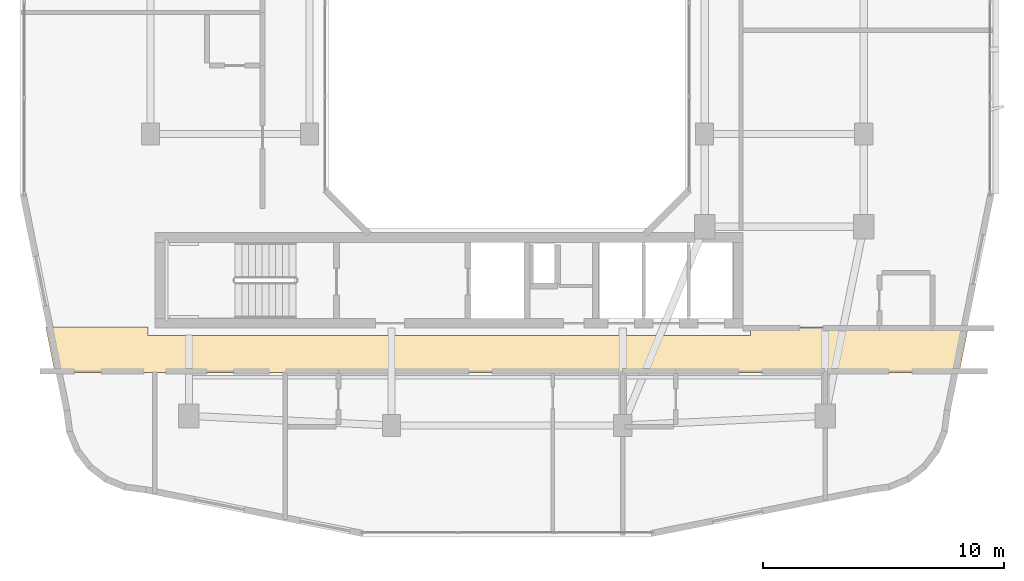
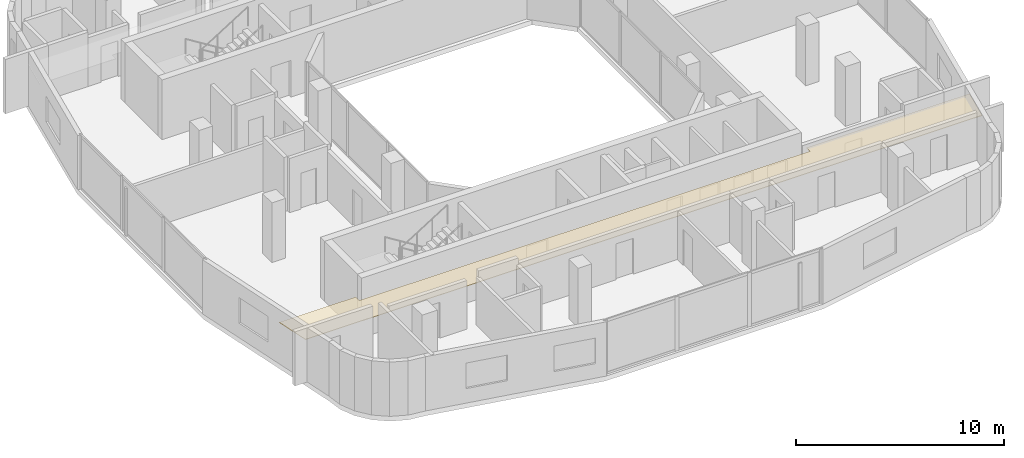
# One storey, part 12 of 14: 1 covering.
"""IFC4 building model written with IfcOpenShell, lengths in metres."""

from ifc_helpers import new_model, si_unit, derived_unit, direction, frame, origin, place, context, subcontext, project, spatial, polyline, outline, extrude, material, layer, layer_set, type_object, element, save


model = new_model("IFC4")

# Units and contexts
model_context = context("Model", 3, precision=1e-05, world=origin(), true_north=direction((0.0, 1.0)))
body_context = subcontext(model_context, "Body", "Model", "MODEL_VIEW")
ifc_project = project(units=[si_unit("LENGTHUNIT", "METRE"), si_unit("AREAUNIT", "SQUARE_METRE"), si_unit("VOLUMEUNIT", "CUBIC_METRE"), si_unit("PLANEANGLEUNIT", "RADIAN"), si_unit("MASSUNIT", "GRAM", prefix="KILO"), derived_unit("THERMALTRANSMITTANCEUNIT", [(si_unit("POWERUNIT", "WATT"), 1), (si_unit("LENGTHUNIT", "METRE"), -2), (si_unit("THERMODYNAMICTEMPERATUREUNIT", "KELVIN"), -1)])], contexts=[model_context])

# Site, building, storey
site_placement = place(None, origin())
site = spatial("IfcSite", under=ifc_project, at=site_placement, CompositionType="ELEMENT")
building_placement = place(site_placement, origin())
building = spatial("IfcBuilding", under=site, at=building_placement, Name="Kivonza Crest Hotel", CompositionType="ELEMENT")
storey_placement = place(building_placement, frame((0.0, 0.0, 169.5)))
storey = spatial("IfcBuildingStorey", under=building, at=storey_placement, Name="L46", CompositionType="ELEMENT", Elevation=169.5)

# Covering
ifc_material = material(Name="Moisture-resistant gypsum plasterboard ceiling", Category="gypsum")
ifc_layer = layer(ifc_material, 0.030029296875)
ifc_layer_set = layer_set([ifc_layer], Name="Moisture-resistant gypsum plasterboard ceiling")
covering_type = type_object("IfcCoveringType", Name="CV-CEIL-GYP", PredefinedType="CEILING", material=ifc_layer_set)
covering_placement = place(storey_placement, frame((0.0, 0.0, 2.449951171875)))
element("IfcCovering", 1, at=covering_placement, inside=storey, type_object=covering_type, Name="L46 Hotel South Guest Corridor suspended ceiling", PredefinedType="CEILING", context=body_context, shape_type="SweptSolid", body=[
    extrude(outline(polyline([(1.85791015625, 13.47998046875), (2.235107421875, 11.610107421875), (39.764892578125, 11.610107421875), (40.14208984375, 13.47998046875), (31.10009765625, 13.47998046875), (31.10009765625, 13.139892578125), (6.10009765625, 13.139892578125), (6.10009765625, 13.47998046875), (1.85791015625, 13.47998046875)])), origin(), (0.0, 0.0, 1.0), 0.030029296875),
])

save(model, "model.ifc")
